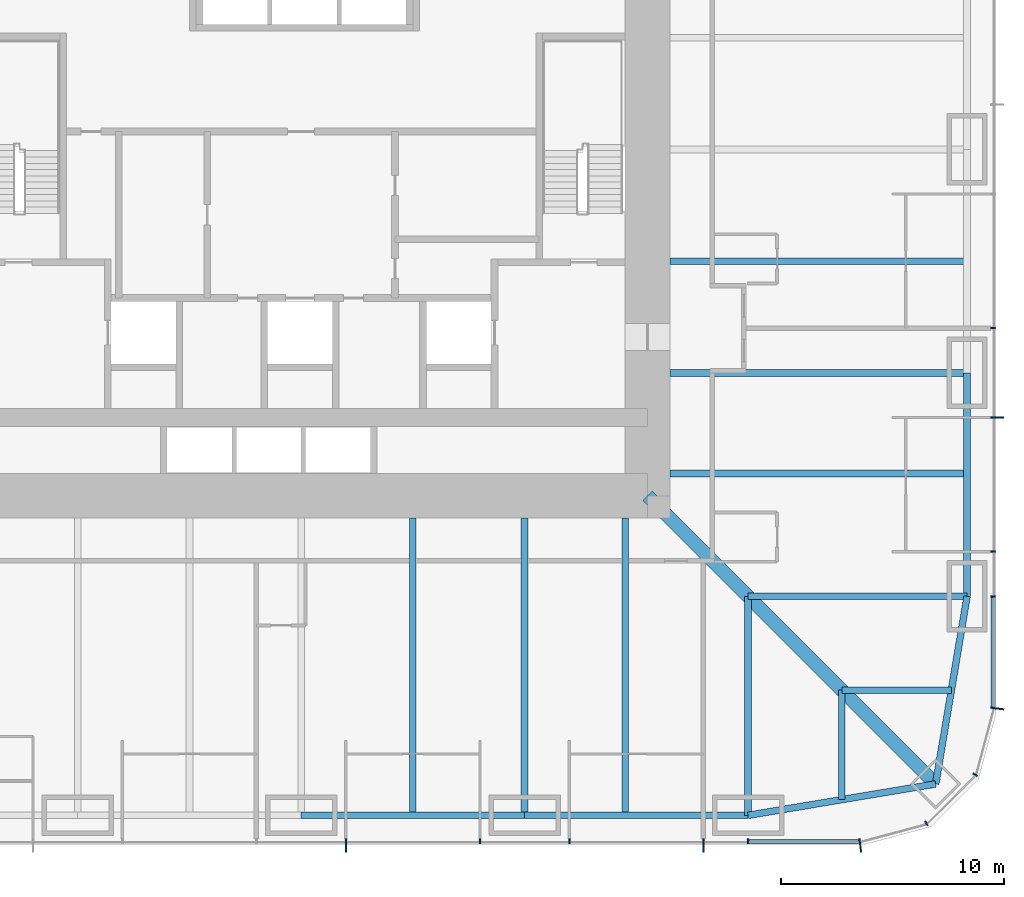
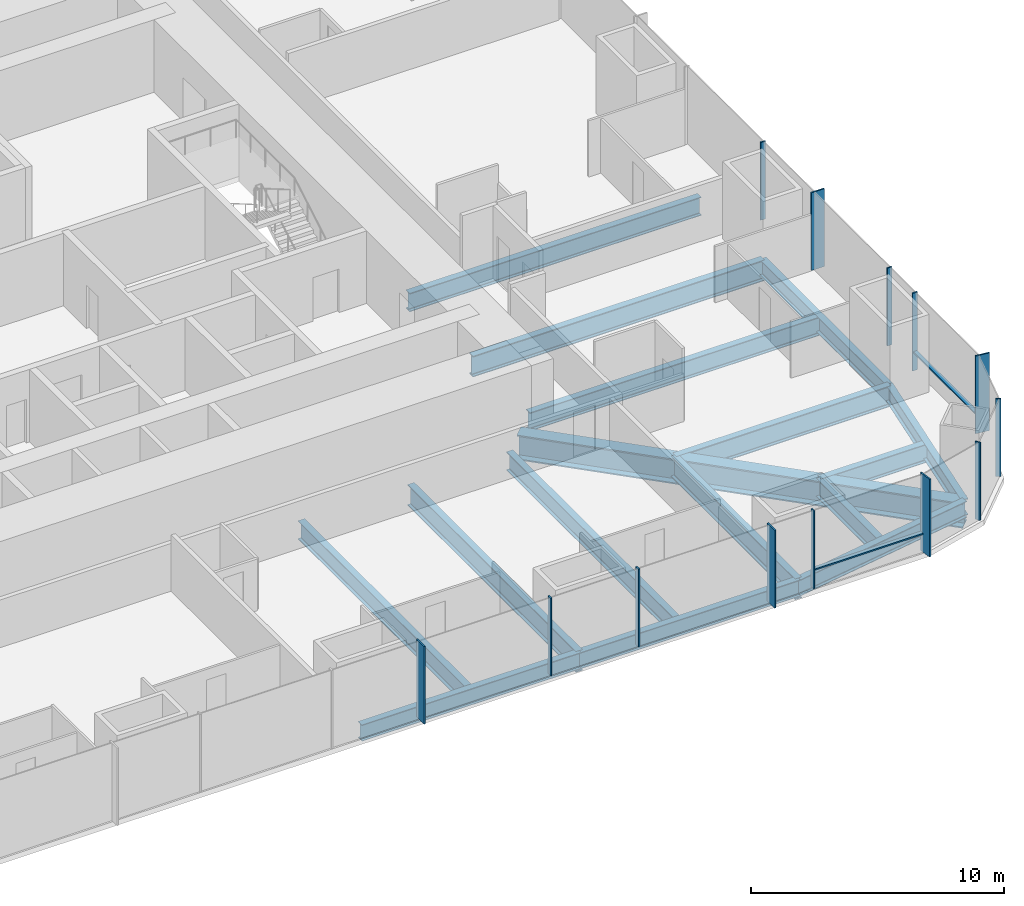
# One storey, part 4 of 17: 16 beams, 15 members, 3 elements without a shape of their own.
"""IFC4 building model written with IfcOpenShell, lengths in metres."""

from ifc_helpers import new_model, si_unit, direction, frame, origin, origin_2d, place, context, subcontext, project, spatial, rectangle, i_section, extrude, material, material_profile, profile_set, type_object, element, aggregate, save


model = new_model("IFC4")

# Units and contexts
model_context = context("Model", 3, precision=1e-05, world=origin(), true_north=direction((0.0, 1.0)))
body_context = subcontext(model_context, "Body", "Model", "MODEL_VIEW")
ifc_project = project(units=[si_unit("LENGTHUNIT", "METRE"), si_unit("AREAUNIT", "SQUARE_METRE"), si_unit("VOLUMEUNIT", "CUBIC_METRE"), si_unit("PLANEANGLEUNIT", "RADIAN"), si_unit("MASSUNIT", "GRAM", prefix="KILO")], contexts=[model_context])

# Site, building, storey
site_placement = place(None, origin())
site = spatial("IfcSite", under=ifc_project, at=site_placement, CompositionType="ELEMENT")
building_placement = place(site_placement, origin())
building = spatial("IfcBuilding", under=site, at=building_placement, Name="Khuree Lantern Residences", CompositionType="ELEMENT")
storey_placement = place(building_placement, frame((0.0, 0.0, 84.75)))
storey = spatial("IfcBuildingStorey", under=building, at=storey_placement, Name="L21", CompositionType="ELEMENT", Elevation=84.75)

# Beams
ifc_material_1 = material(Name="Steel S355", Category="steel")
ifc_material_profile_1 = material_profile(ifc_material_1, i_section(OverallWidth=0.300048828125, OverallDepth=0.889892578125, WebThickness=0.01611328125, FlangeThickness=0.030029296875, FilletRadius=0.030029296875, at=origin_2d()), Name="HE 900 A")
ifc_profile_set_1 = profile_set([ifc_material_profile_1], Name="Steel S355")
beam_type_1 = type_object("IfcBeamType", Name="B-15 SECONDARY BEAM HE 900 A", PredefinedType="BEAM", material=ifc_profile_set_1)
for number, where, z_axis, x_axis, name in (
    (1, (29.800048828125, -5.0, -0.695068359375), (-1.0, 0.0, 0.0), (0.0, -1.0, 0.0), "Secondary beam E4"),
    (2, (29.800048828125, -14.5, -0.695068359375), (-1.0, 0.0, 0.0), (0.0, -1.0, 0.0), "Secondary beam E5"),
):
    element("IfcBeam", number, at=place(storey_placement, frame(where, z_axis=z_axis, x_axis=x_axis)), inside=storey, type_object=beam_type_1, Name=name, PredefinedType="BEAM", context=body_context, shape_type="SweptSolid", body=[
        extrude(i_section(OverallWidth=0.300048828125, OverallDepth=0.889892578125, WebThickness=0.01611328125, FlangeThickness=0.030029296875, FilletRadius=0.030029296875, at=origin_2d()), origin(), (0.0, 0.0, 1.0), 13.300048828125),
    ])
for number, where, z_axis, x_axis, name in (
    (3, (29.09716796875, -24.197021484375, -0.695068359375), (-1.0, 0.0, 0.0), (0.0, -1.0, 0.0), "Secondary beam E6"),
    (4, (24.197021484375, -29.09716796875, -0.695068359375), (0.0, 1.0, 0.0), (-1.0, 0.0, 0.0), "Secondary beam S1"),
):
    element("IfcBeam", number, at=place(storey_placement, frame(where, z_axis=z_axis, x_axis=x_axis)), inside=storey, type_object=beam_type_1, Name=name, PredefinedType="BEAM", context=body_context, shape_type="SweptSolid", body=[
        extrude(i_section(OverallWidth=0.300048828125, OverallDepth=0.889892578125, WebThickness=0.01611328125, FlangeThickness=0.030029296875, FilletRadius=0.030029296875, at=origin_2d()), origin(), (0.0, 0.0, 1.0), 4.900146484375),
    ])
for number, where, z_axis, x_axis, name in (
    (5, (14.5, -29.800048828125, -0.695068359375), (0.0, 1.0, 0.0), (-1.0, 0.0, 0.0), "Secondary beam S2"),
    (6, (5.0, -29.800048828125, -0.695068359375), (0.0, 1.0, 0.0), (-1.0, 0.0, 0.0), "Secondary beam S3"),
):
    element("IfcBeam", number, at=place(storey_placement, frame(where, z_axis=z_axis, x_axis=x_axis)), inside=storey, type_object=beam_type_1, Name=name, PredefinedType="BEAM", context=body_context, shape_type="SweptSolid", body=[
        extrude(i_section(OverallWidth=0.300048828125, OverallDepth=0.889892578125, WebThickness=0.01611328125, FlangeThickness=0.030029296875, FilletRadius=0.030029296875, at=origin_2d()), origin(), (0.0, 0.0, 1.0), 13.300048828125),
    ])
ifc_material_profile_2 = material_profile(ifc_material_1, i_section(OverallWidth=0.300048828125, OverallDepth=0.7900390625, WebThickness=0.014892578125, FlangeThickness=0.028076171875, FilletRadius=0.030029296875, at=origin_2d()), Name="HE 800 A")
ifc_profile_set_2 = profile_set([ifc_material_profile_2], Name="Steel S355")
beam_type_2 = type_object("IfcBeamType", Name="E-15 SPANDREL BEAM HE 800 A", PredefinedType="SPANDREL", material=ifc_profile_set_2)
beam_1_placement = place(storey_placement, frame((29.800048828125, -10.0, -0.64501953125), z_axis=(0.0, -1.0, 0.0), x_axis=(1.0, 0.0, 0.0)))
element("IfcBeam", 7, at=beam_1_placement, inside=storey, type_object=beam_type_2, Name="Spandrel beam E5", PredefinedType="SPANDREL", context=body_context, shape_type="SweptSolid", body=[
    extrude(i_section(OverallWidth=0.300048828125, OverallDepth=0.7900390625, WebThickness=0.014892578125, FlangeThickness=0.028076171875, FilletRadius=0.030029296875, at=origin_2d()), origin(), (0.0, 0.0, 1.0), 10.0),
])
for number, where, z_axis, x_axis, name in (
    (8, (29.800048828125, -20.0, -0.64501953125), (-0.165199022349, -0.986260251158, 0.0), (0.986260251158, -0.165199022349, 0.0), "Spandrel beam E6"),
    (9, (28.39404296875, -28.39404296875, -0.64501953125), (-0.986260251158, -0.165199022349, 0.0), (0.165199022349, -0.986260251158, 0.0), "Spandrel beam S1"),
):
    element("IfcBeam", number, at=place(storey_placement, frame(where, z_axis=z_axis, x_axis=x_axis)), inside=storey, type_object=beam_type_2, Name=name, PredefinedType="SPANDREL", context=body_context, shape_type="SweptSolid", body=[
        extrude(i_section(OverallWidth=0.300048828125, OverallDepth=0.7900390625, WebThickness=0.014892578125, FlangeThickness=0.028076171875, FilletRadius=0.030029296875, at=origin_2d()), origin(), (0.0, 0.0, 1.0), 8.510986328125),
    ])
for number, where, z_axis, x_axis, name in (
    (10, (20.0, -29.800048828125, -0.64501953125), (-1.0, 0.0, 0.0), (0.0, -1.0, 0.0), "Spandrel beam S2"),
    (11, (10.0, -29.800048828125, -0.64501953125), (-1.0, 0.0, 0.0), (0.0, -1.0, 0.0), "Spandrel beam S3"),
):
    element("IfcBeam", number, at=place(storey_placement, frame(where, z_axis=z_axis, x_axis=x_axis)), inside=storey, type_object=beam_type_2, Name=name, PredefinedType="SPANDREL", context=body_context, shape_type="SweptSolid", body=[
        extrude(i_section(OverallWidth=0.300048828125, OverallDepth=0.7900390625, WebThickness=0.014892578125, FlangeThickness=0.028076171875, FilletRadius=0.030029296875, at=origin_2d()), origin(), (0.0, 0.0, 1.0), 10.0),
    ])

# Curtain wall, member
ifc_material_2 = material(Name="Bronze anodised aluminium", Category="aluminium")
curtain_wall_type_1 = type_object("IfcCurtainWallType", Name="CW-T2 TOWER CORNER CURTAIN WALL", PredefinedType="USERDEFINED", material=ifc_material_2)
curtain_wall_1_placement = place(storey_placement, origin())
curtain_wall_1 = element("IfcCurtainWall", 12, at=curtain_wall_1_placement, inside=storey, type_object=curtain_wall_type_1, Name="L21 SOUTH-EAST CORNER CURTAIN WALL", ObjectType="Faceted corner curtain wall", PredefinedType="USERDEFINED")
ifc_material_profile_3 = material_profile(ifc_material_2, rectangle(XDim=0.06494140625, YDim=0.60009765625, at=origin_2d()), Name="F1 65X600")
ifc_profile_set_3 = profile_set([ifc_material_profile_3], Name="Bronze anodised aluminium")
member_type_1 = type_object("IfcMemberType", Name="F1 BRONZE FIN MULLION TOWER 65X600", PredefinedType="MULLION", material=ifc_profile_set_3)
member_1_placement = place(storey_placement, frame((25.019775390625, -31.150146484375, 0.0), z_axis=(0.0, 0.0, 1.0), x_axis=(0.991444852794, 0.130526257387, 0.0)))
member_1 = element("IfcMember", 13, at=member_1_placement, type_object=member_type_1, Name="L21 SOUTH-EAST CORNER FIN MULLION 1", PredefinedType="MULLION", context=body_context, shape_type="SweptSolid", body=[
    extrude(rectangle(XDim=0.06494140625, YDim=0.60009765625, at=origin_2d()), origin(), (0.0, 0.0, 1.0), 3.75),
])

# Curtain wall, members
curtain_wall_type_2 = type_object("IfcCurtainWallType", Name="CW-T1 TOWER FACE CURTAIN WALL", PredefinedType="USERDEFINED", material=ifc_material_2)
curtain_wall_2_placement = place(storey_placement, origin())
curtain_wall_2 = element("IfcCurtainWall", 14, at=curtain_wall_2_placement, inside=storey, type_object=curtain_wall_type_2, Name="L21 EAST FACE CURTAIN WALL", ObjectType="Stick-built curtain wall", PredefinedType="USERDEFINED")
member_2_placement = place(storey_placement, frame((31.150146484375, -25.019775390625, 0.0), z_axis=(0.0, 0.0, 1.0), x_axis=(0.130526257387, 0.991444852794, 0.0)))
member_2 = element("IfcMember", 15, at=member_2_placement, type_object=member_type_1, Name="L21 EAST FACE FIN MULLION 4", PredefinedType="MULLION", context=body_context, shape_type="SweptSolid", body=[
    extrude(rectangle(XDim=0.06494140625, YDim=0.60009765625, at=origin_2d()), origin(), (0.0, 0.0, 1.0), 3.75),
])
member_3_placement = place(storey_placement, frame((31.14990234375, -12.0, 0.0), z_axis=(0.0, 0.0, 1.0), x_axis=(0.0, 1.0, 0.0)))
member_3 = element("IfcMember", 16, at=member_3_placement, type_object=member_type_1, Name="L21 EAST FACE FIN MULLION 7", PredefinedType="MULLION", context=body_context, shape_type="SweptSolid", body=[
    extrude(rectangle(XDim=0.06494140625, YDim=0.60009765625, at=origin_2d()), origin(), (0.0, 0.0, 1.0), 3.75),
])

curtain_wall_3_placement = place(storey_placement, origin())
curtain_wall_3 = element("IfcCurtainWall", 17, at=curtain_wall_3_placement, inside=storey, type_object=curtain_wall_type_2, Name="L21 SOUTH FACE CURTAIN WALL", ObjectType="Stick-built curtain wall", PredefinedType="USERDEFINED")
member_4_placement = place(storey_placement, frame((2.0, -31.14990234375, 0.0), z_axis=(0.0, 0.0, 1.0), x_axis=(1.0, 0.0, 0.0)))
member_4 = element("IfcMember", 18, at=member_4_placement, type_object=member_type_1, Name="L21 SOUTH FACE FIN MULLION 52", PredefinedType="MULLION", context=body_context, shape_type="SweptSolid", body=[
    extrude(rectangle(XDim=0.06494140625, YDim=0.60009765625, at=origin_2d()), origin(), (0.0, 0.0, 1.0), 3.75),
])
member_5_placement = place(storey_placement, frame((18.0, -31.14990234375, 0.0), z_axis=(0.0, 0.0, 1.0), x_axis=(1.0, 0.0, 0.0)))
member_5 = element("IfcMember", 19, at=member_5_placement, type_object=member_type_1, Name="L21 SOUTH FACE FIN MULLION 55", PredefinedType="MULLION", context=body_context, shape_type="SweptSolid", body=[
    extrude(rectangle(XDim=0.06494140625, YDim=0.60009765625, at=origin_2d()), origin(), (0.0, 0.0, 1.0), 3.75),
])

# Beams
ifc_material_profile_4 = material_profile(ifc_material_1, i_section(OverallWidth=0.302001953125, OverallDepth=1.008056640625, WebThickness=0.02099609375, FlangeThickness=0.0400390625, FilletRadius=0.030029296875, at=origin_2d()), Name="HE 1000 M")
ifc_profile_set_4 = profile_set([ifc_material_profile_4], Name="Steel S355")
beam_type_3 = type_object("IfcBeamType", Name="G-15 GIRDER HE 1000 M", PredefinedType="BEAM", material=ifc_profile_set_4)
beam_2_placement = place(storey_placement, frame((29.800048828125, -10.0, -0.75390625), z_axis=(-1.0, 0.0, 0.0), x_axis=(0.0, -1.0, 0.0)))
element("IfcBeam", 20, at=beam_2_placement, inside=storey, type_object=beam_type_3, Name="Girder E4", PredefinedType="BEAM", context=body_context, shape_type="SweptSolid", body=[
    extrude(i_section(OverallWidth=0.302001953125, OverallDepth=1.008056640625, WebThickness=0.02099609375, FlangeThickness=0.0400390625, FilletRadius=0.030029296875, at=origin_2d()), origin(), (0.0, 0.0, 1.0), 13.300048828125),
])
for number, where, z_axis, x_axis, name in (
    (21, (29.800048828125, -20.0, -0.75390625), (-1.0, 0.0, 0.0), (0.0, -1.0, 0.0), "Girder E5"),
    (22, (20.0, -29.800048828125, -0.75390625), (0.0, 1.0, 0.0), (-1.0, 0.0, 0.0), "Girder S1"),
):
    element("IfcBeam", number, at=place(storey_placement, frame(where, z_axis=z_axis, x_axis=x_axis)), inside=storey, type_object=beam_type_3, Name=name, PredefinedType="BEAM", context=body_context, shape_type="SweptSolid", body=[
        extrude(i_section(OverallWidth=0.302001953125, OverallDepth=1.008056640625, WebThickness=0.02099609375, FlangeThickness=0.0400390625, FilletRadius=0.030029296875, at=origin_2d()), origin(), (0.0, 0.0, 1.0), 9.800048828125),
    ])
beam_3_placement = place(storey_placement, frame((10.0, -29.800048828125, -0.75390625), z_axis=(0.0, 1.0, 0.0), x_axis=(-1.0, 0.0, 0.0)))
element("IfcBeam", 23, at=beam_3_placement, inside=storey, type_object=beam_type_3, Name="Girder S2", PredefinedType="BEAM", context=body_context, shape_type="SweptSolid", body=[
    extrude(i_section(OverallWidth=0.302001953125, OverallDepth=1.008056640625, WebThickness=0.02099609375, FlangeThickness=0.0400390625, FilletRadius=0.030029296875, at=origin_2d()), origin(), (0.0, 0.0, 1.0), 13.300048828125),
])
ifc_material_profile_5 = material_profile(ifc_material_1, i_section(OverallWidth=0.60009765625, OverallDepth=1.199951171875, WebThickness=0.030029296875, FlangeThickness=0.06005859375, at=origin_2d()), Name="WELDED I 1200X600X30X60")
ifc_profile_set_5 = profile_set([ifc_material_profile_5], Name="Steel S355")
beam_type_4 = type_object("IfcBeamType", Name="GD-15 CORNER GIRDER WELDED I 1200X600X30X60", PredefinedType="BEAM", material=ifc_profile_set_5)
beam_4_placement = place(storey_placement, frame((28.39404296875, -28.39404296875, -0.85009765625), z_axis=(-0.707106781187, 0.707106781187, 0.0), x_axis=(-0.707106781187, -0.707106781187, 0.0)))
element("IfcBeam", 24, at=beam_4_placement, inside=storey, type_object=beam_type_4, Name="Corner girder SE", PredefinedType="BEAM", context=body_context, shape_type="SweptSolid", body=[
    extrude(i_section(OverallWidth=0.60009765625, OverallDepth=1.199951171875, WebThickness=0.030029296875, FlangeThickness=0.06005859375, at=origin_2d()), origin(), (0.0, 0.0, 1.0), 18.23486328125),
])

# Member
ifc_material_profile_6 = material_profile(ifc_material_2, rectangle(XDim=0.06494140625, YDim=0.219970703125, at=origin_2d()), Name="M1 65X220")
ifc_profile_set_6 = profile_set([ifc_material_profile_6], Name="Bronze anodised aluminium")
member_type_2 = type_object("IfcMemberType", Name="M1 BRONZE MULLION TOWER 65X220", PredefinedType="MULLION", material=ifc_profile_set_6)
member_6_placement = place(storey_placement, frame((27.97998046875, -30.16162109375, 0.0), z_axis=(0.0, 0.0, 1.0), x_axis=(0.86602537092, 0.500000056923, 0.0)))
member_6 = element("IfcMember", 25, at=member_6_placement, type_object=member_type_2, Name="L21 SOUTH-EAST CORNER MULLION 2", PredefinedType="MULLION", context=body_context, shape_type="SweptSolid", body=[
    extrude(rectangle(XDim=0.06494140625, YDim=0.219970703125, at=origin_2d()), origin(), (0.0, 0.0, 1.0), 3.75),
])

member_7_placement = place(storey_placement, frame((30.16162109375, -27.97998046875, 0.0), z_axis=(0.0, 0.0, 1.0), x_axis=(0.500000056923, 0.86602537092, 0.0)))
member_7 = element("IfcMember", 26, at=member_7_placement, type_object=member_type_2, Name="L21 SOUTH-EAST CORNER MULLION 3", PredefinedType="MULLION", context=body_context, shape_type="SweptSolid", body=[
    extrude(rectangle(XDim=0.06494140625, YDim=0.219970703125, at=origin_2d()), origin(), (0.0, 0.0, 1.0), 3.75),
])

aggregate(curtain_wall_1, [member_1, member_6, member_7])

member_8_placement = place(storey_placement, frame((30.9599609375, -20.0, 0.0), z_axis=(0.0, 0.0, 1.0), x_axis=(0.0, 1.0, 0.0)))
member_8 = element("IfcMember", 27, at=member_8_placement, type_object=member_type_2, Name="L21 EAST FACE MULLION 5", PredefinedType="MULLION", context=body_context, shape_type="SweptSolid", body=[
    extrude(rectangle(XDim=0.06494140625, YDim=0.219970703125, at=origin_2d()), origin(), (0.0, 0.0, 1.0), 3.75),
])

member_9_placement = place(storey_placement, frame((30.9599609375, -18.0, 0.0), z_axis=(0.0, 0.0, 1.0), x_axis=(0.0, 1.0, 0.0)))
member_9 = element("IfcMember", 28, at=member_9_placement, type_object=member_type_2, Name="L21 EAST FACE MULLION 6", PredefinedType="MULLION", context=body_context, shape_type="SweptSolid", body=[
    extrude(rectangle(XDim=0.06494140625, YDim=0.219970703125, at=origin_2d()), origin(), (0.0, 0.0, 1.0), 3.75),
])

member_10_placement = place(storey_placement, frame((30.9599609375, -8.0, 0.0), z_axis=(0.0, 0.0, 1.0), x_axis=(0.0, 1.0, 0.0)))
member_10 = element("IfcMember", 29, at=member_10_placement, type_object=member_type_2, Name="L21 EAST FACE MULLION 8", PredefinedType="MULLION", context=body_context, shape_type="SweptSolid", body=[
    extrude(rectangle(XDim=0.06494140625, YDim=0.219970703125, at=origin_2d()), origin(), (0.0, 0.0, 1.0), 3.75),
])

member_11_placement = place(storey_placement, frame((8.0, -30.9599609375, 0.0), z_axis=(0.0, 0.0, 1.0), x_axis=(1.0, 0.0, 0.0)))
member_11 = element("IfcMember", 30, at=member_11_placement, type_object=member_type_2, Name="L21 SOUTH FACE MULLION 53", PredefinedType="MULLION", context=body_context, shape_type="SweptSolid", body=[
    extrude(rectangle(XDim=0.06494140625, YDim=0.219970703125, at=origin_2d()), origin(), (0.0, 0.0, 1.0), 3.75),
])

member_12_placement = place(storey_placement, frame((12.0, -30.9599609375, 0.0), z_axis=(0.0, 0.0, 1.0), x_axis=(1.0, 0.0, 0.0)))
member_12 = element("IfcMember", 31, at=member_12_placement, type_object=member_type_2, Name="L21 SOUTH FACE MULLION 54", PredefinedType="MULLION", context=body_context, shape_type="SweptSolid", body=[
    extrude(rectangle(XDim=0.06494140625, YDim=0.219970703125, at=origin_2d()), origin(), (0.0, 0.0, 1.0), 3.75),
])

member_13_placement = place(storey_placement, frame((20.0, -30.9599609375, 0.0), z_axis=(0.0, 0.0, 1.0), x_axis=(1.0, 0.0, 0.0)))
member_13 = element("IfcMember", 32, at=member_13_placement, type_object=member_type_2, Name="L21 SOUTH FACE MULLION 56", PredefinedType="MULLION", context=body_context, shape_type="SweptSolid", body=[
    extrude(rectangle(XDim=0.06494140625, YDim=0.219970703125, at=origin_2d()), origin(), (0.0, 0.0, 1.0), 3.75),
])

ifc_material_profile_7 = material_profile(ifc_material_2, rectangle(XDim=0.179931640625, YDim=0.06494140625, at=origin_2d()), Name="T1 180X65")
ifc_profile_set_7 = profile_set([ifc_material_profile_7], Name="Bronze anodised aluminium")
member_type_3 = type_object("IfcMemberType", Name="TRANSOM T1 TOWER 180X65", PredefinedType="USERDEFINED", material=ifc_profile_set_7)
member_14_placement = place(storey_placement, frame((30.969970703125, -24.951416015625, 0.89990234375), z_axis=(0.0, 1.0, 0.0), x_axis=(-1.0, 0.0, 0.0)))
member_14 = element("IfcMember", 33, at=member_14_placement, type_object=member_type_3, Name="L21 EAST FACE TRANSOM 4.1", ObjectType="Transom", PredefinedType="USERDEFINED", context=body_context, shape_type="SweptSolid", body=[
    extrude(rectangle(XDim=0.179931640625, YDim=0.06494140625, at=origin_2d()), origin(), (0.0, 0.0, 1.0), 4.9189453125),
])

aggregate(curtain_wall_2, [member_2, member_8, member_9, member_3, member_10, member_14])

member_15_placement = place(storey_placement, frame((20.032470703125, -30.969970703125, 0.89990234375), z_axis=(1.0, 0.0, 0.0), x_axis=(0.0, 1.0, 0.0)))
member_15 = element("IfcMember", 34, at=member_15_placement, type_object=member_type_3, Name="L21 SOUTH FACE TRANSOM 56.1", ObjectType="Transom", PredefinedType="USERDEFINED", context=body_context, shape_type="SweptSolid", body=[
    extrude(rectangle(XDim=0.179931640625, YDim=0.06494140625, at=origin_2d()), origin(), (0.0, 0.0, 1.0), 4.9189453125),
])

aggregate(curtain_wall_3, [member_4, member_11, member_12, member_5, member_13, member_15])

save(model, "model.ifc")
